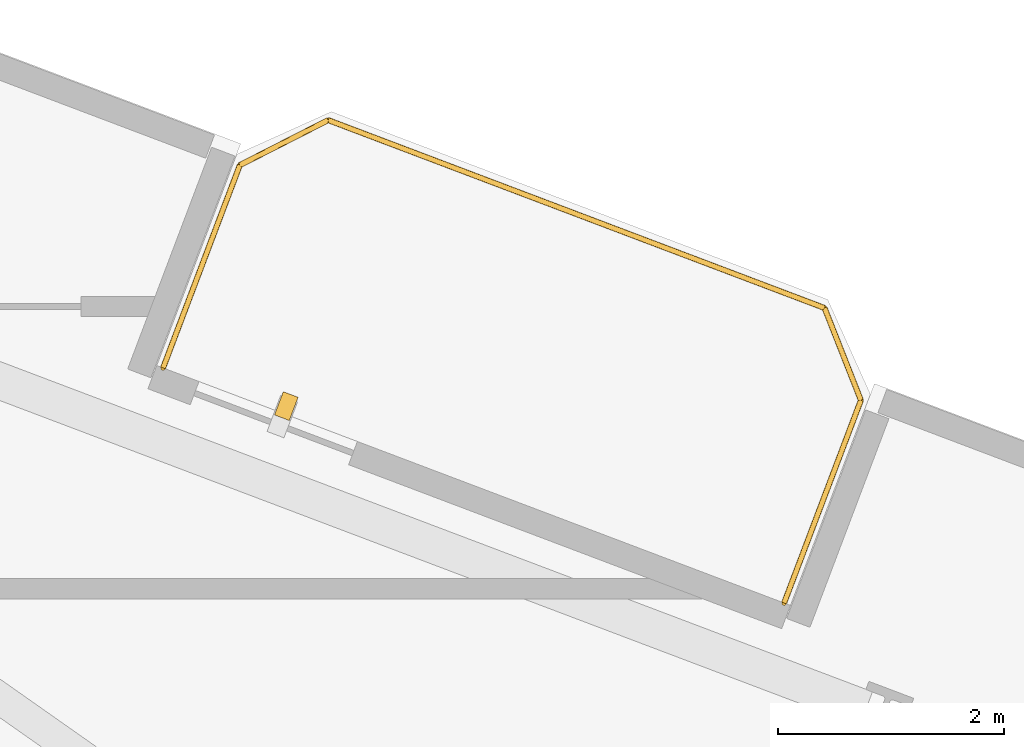
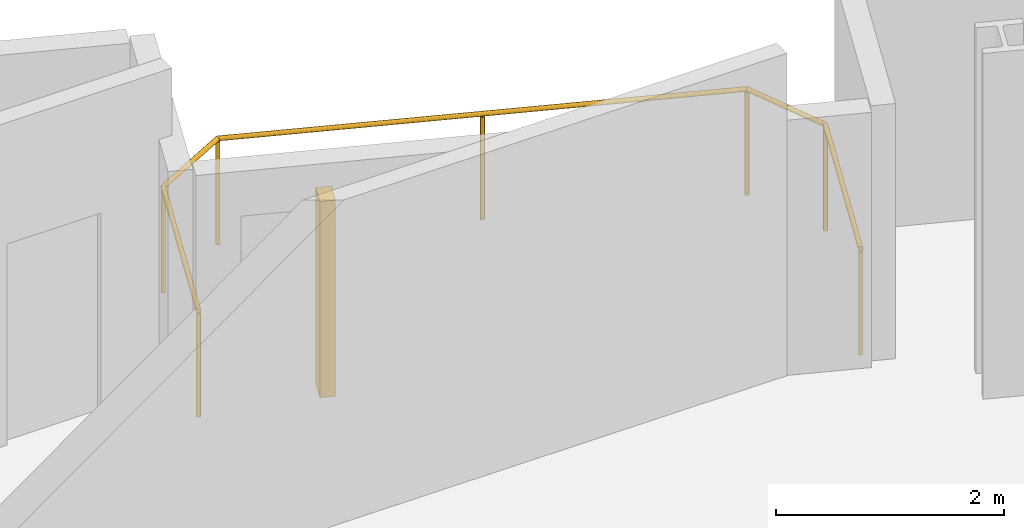
# One storey, part 25 of 25: 1 railing, 1 shading device.
"""IFC4 building model written with IfcOpenShell, lengths in metres."""

from ifc_helpers import new_model, si_unit, direction, frame, origin, origin_2d, place, context, subcontext, project, spatial, rectangle, circle, extrude, source, transform, mapped, material, type_object, element, save


model = new_model("IFC4")

# Units and contexts
model_context = context("Model", 3, precision=1e-05, world=origin(), true_north=direction((0.0, 1.0)))
body_context = subcontext(model_context, "Body", "Model", "MODEL_VIEW")
ifc_project = project(units=[si_unit("LENGTHUNIT", "METRE"), si_unit("AREAUNIT", "SQUARE_METRE"), si_unit("VOLUMEUNIT", "CUBIC_METRE"), si_unit("PLANEANGLEUNIT", "RADIAN"), si_unit("MASSUNIT", "GRAM", prefix="KILO")], contexts=[model_context])

# Site, building, storey
site_placement = place(None, origin())
site = spatial("IfcSite", under=ifc_project, at=site_placement, CompositionType="ELEMENT")
building_placement = place(site_placement, origin())
building = spatial("IfcBuilding", under=site, at=building_placement, Name="Varnelok Gate Tower", CompositionType="ELEMENT")
storey_placement = place(building_placement, frame((0.0, 0.0, 105.800048828125)))
storey = spatial("IfcBuildingStorey", under=building, at=storey_placement, Name="L26", CompositionType="ELEMENT", Elevation=105.800048828125)

# Railing
ifc_material_1 = material(Name="Low-E Laminated Double Glazing IGU", Category="glass")
railing_type = type_object("IfcRailingType", Name="RL-BALC-1150", PredefinedType="BALUSTRADE", material=ifc_material_1)
railing_placement = place(storey_placement, frame((57.49462890625, 41.256103515625, 0.0)))
element("IfcRailing", 1, at=railing_placement, inside=storey, type_object=railing_type, Name="L26 North Terrace Balustrade 6", PredefinedType="BALUSTRADE", context=body_context, shape_type="SweptSolid", body=[
    extrude(circle(Radius=0.02392578125, at=origin_2d()), frame((0.0, 0.0, 1.1259765625), z_axis=(0.354006333352, 0.935243025073, 0.0), x_axis=(-0.935243025073, 0.354006333352, 0.0)), (0.0, 0.0, 1.0), 1.919921875),
    extrude(circle(Radius=0.02392578125, at=origin_2d()), frame((0.6796875, 1.795654296875, 1.1259765625), z_axis=(0.89078254773, 0.454429810487, 0.0), x_axis=(-0.454429810487, 0.89078254773, 0.0)), (0.0, 0.0, 1.0), 0.8779296875),
    extrude(circle(Radius=0.02392578125, at=origin_2d()), frame((1.461669921875, 2.194580078125, 1.1259765625), z_axis=(0.935223045203, -0.354059113314, 0.0), x_axis=(0.354059113314, 0.935223045203, 0.0)), (0.0, 0.0, 1.0), 4.699951171875),
    extrude(circle(Radius=0.02392578125, at=origin_2d()), frame((5.857177734375, 0.530517578125, 1.1259765625), z_axis=(0.36659018357, -0.930382522036, 0.0), x_axis=(0.930382522036, 0.36659018357, 0.0)), (0.0, 0.0, 1.0), 0.877685546875),
    extrude(circle(Radius=0.02392578125, at=origin_2d()), frame((6.178955078125, -0.2861328125, 1.1259765625), z_axis=(-0.354117547856, -0.935200920819, 0.0), x_axis=(0.935200920819, -0.354117547856, 0.0)), (0.0, 0.0, 1.0), 1.920166015625),
    extrude(circle(Radius=0.02099609375, at=origin_2d()), origin(), (0.0, 0.0, 1.0), 1.101806640625),
    extrude(circle(Radius=0.02099609375, at=origin_2d()), frame((0.6796875, 1.795654296875, 0.0)), (0.0, 0.0, 1.0), 1.101806640625),
    extrude(circle(Radius=0.02099609375, at=origin_2d()), frame((1.461669921875, 2.194580078125, 0.0)), (0.0, 0.0, 1.0), 1.101806640625),
    extrude(circle(Radius=0.02099609375, at=origin_2d()), frame((3.659423828125, 1.362548828125, 0.0)), (0.0, 0.0, 1.0), 1.101806640625),
    extrude(circle(Radius=0.02099609375, at=origin_2d()), frame((5.857177734375, 0.530517578125, 0.0)), (0.0, 0.0, 1.0), 1.101806640625),
    extrude(circle(Radius=0.02099609375, at=origin_2d()), frame((6.178955078125, -0.2861328125, 0.0)), (0.0, 0.0, 1.0), 1.101806640625),
    extrude(circle(Radius=0.02099609375, at=origin_2d()), frame((5.4990234375, -2.081787109375, 0.0)), (0.0, 0.0, 1.0), 1.101806640625),
])

# Shading device
ifc_material_2 = material(Name="Glazed Architectural Terracotta Ceramic", Category="masonry")
shading_device_type = type_object("IfcShadingDeviceType", Name="SHD-TERRA-BAGUETTE", PredefinedType="USERDEFINED", material=ifc_material_2)
shared_shape = source(origin(), body_context, "Body", "SweptSolid", [
    extrude(rectangle(XDim=0.139892578125, YDim=0.219970703125, at=origin_2d()), origin(), (0.0, 0.0, 1.0), 2.10009765625),
])
shading_device_placement = place(storey_placement, frame((58.58544921875, 40.91796875, 0.099853515625), z_axis=(0.0, 0.0, 1.0), x_axis=(0.935221751401, -0.354062530786, 0.0)))
element("IfcShadingDevice", 2, at=shading_device_placement, inside=storey, type_object=shading_device_type, Name="L26 Terracotta Ceramic Baguette Sunscreen 6.1", ObjectType="BAGUETTE", PredefinedType="USERDEFINED", context=body_context, shape_type="MappedRepresentation", body=[
    mapped(shared_shape, transform((0.0, 0.0, 0.0), scale=1.0)),
])

save(model, "model.ifc")
